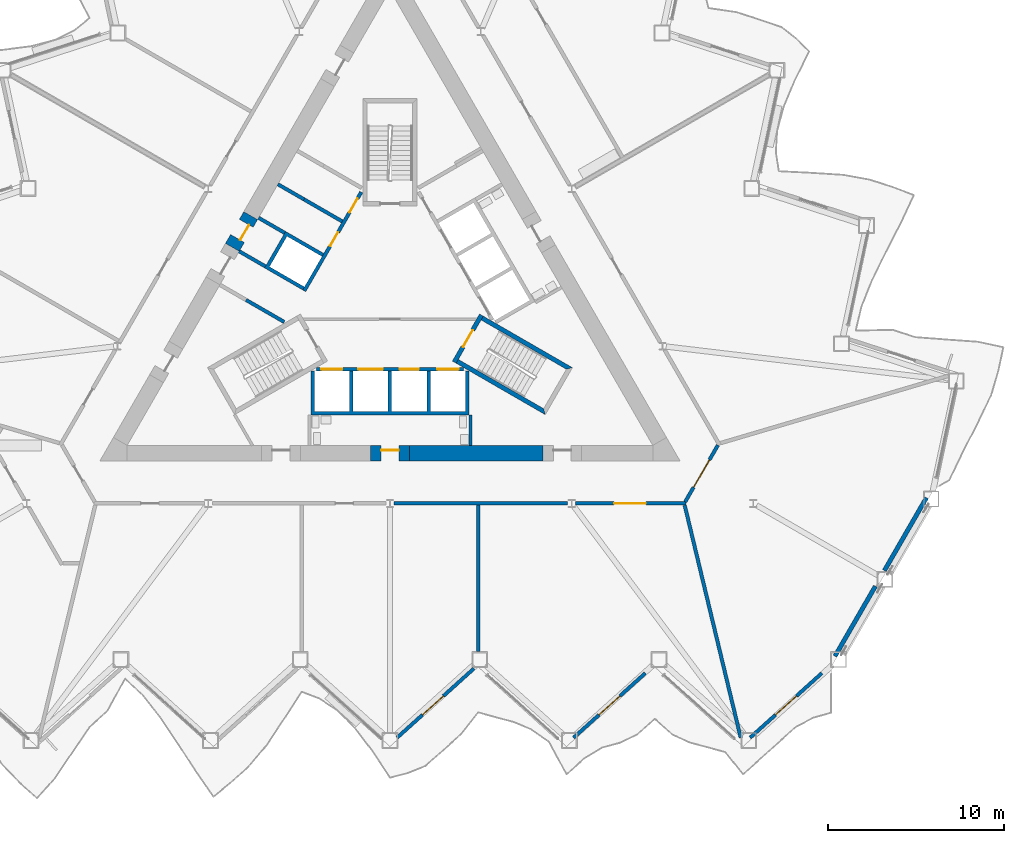
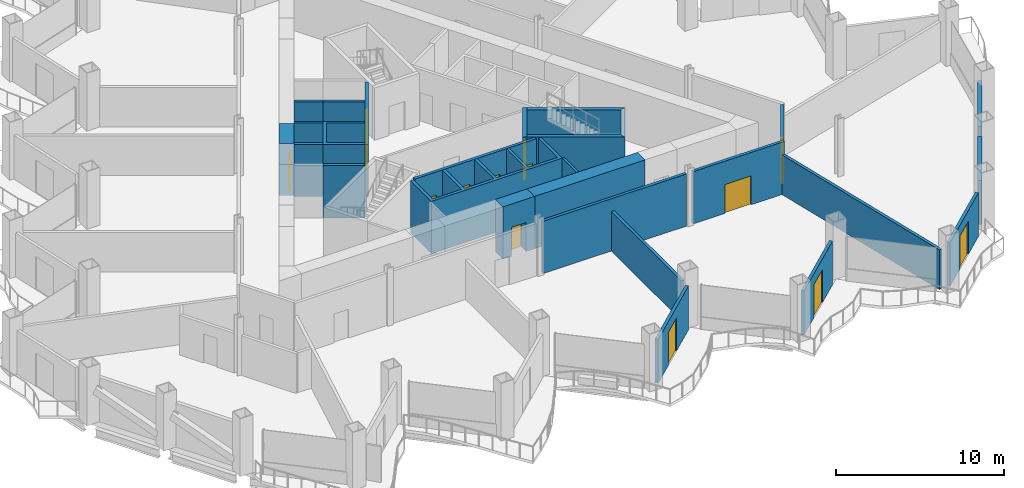
# One storey, part 11 of 21: 26 walls, 14 doors, 14 openings.
"""IFC4 building model written with IfcOpenShell, lengths in metres."""

from ifc_helpers import new_model, si_unit, direction, frame, frame_2d, origin, place, context, subcontext, project, spatial, polyline, rectangle, outline, extrude, material, layer, layer_set, type_object, element, fill, save


model = new_model("IFC4")

# Units and contexts
model_context = context("Model", 3, precision=1e-05, world=origin(), true_north=direction((0.0, 1.0)))
body_context = subcontext(model_context, "Body", "Model", "MODEL_VIEW")
ifc_project = project(units=[si_unit("LENGTHUNIT", "METRE"), si_unit("AREAUNIT", "SQUARE_METRE"), si_unit("VOLUMEUNIT", "CUBIC_METRE"), si_unit("PLANEANGLEUNIT", "RADIAN"), si_unit("MASSUNIT", "GRAM", prefix="KILO")], contexts=[model_context])

# Site, building, storey
site_placement = place(None, origin())
site = spatial("IfcSite", under=ifc_project, at=site_placement, CompositionType="ELEMENT")
building_placement = place(site_placement, origin())
building = spatial("IfcBuilding", under=site, at=building_placement, Name="Cormorant Prow Tower", CompositionType="ELEMENT")
storey_placement = place(building_placement, frame((0.0, 0.0, 120.60009765625)))
storey = spatial("IfcBuildingStorey", under=building, at=storey_placement, Name="L25", CompositionType="ELEMENT", Elevation=120.60009765625)

# Walls
ifc_material_1 = material(Name="Gypsum board partition")
ifc_layer_1 = layer(ifc_material_1, 0.14990234375)
ifc_layer_set_1 = layer_set([ifc_layer_1], Name="Gypsum board partition")
wall_type_1 = type_object("IfcWallType", Name="Core partition 150", PredefinedType="PARTITIONING", material=ifc_layer_set_1)
wall_1_placement = place(storey_placement, frame((4.574951171875, -6.906005859375, 0.0), z_axis=(0.0, 0.0, 1.0), x_axis=(0.0, -1.0, 0.0)))
element("IfcWall", 1, at=wall_1_placement, inside=storey, type_object=wall_type_1, Name="Service room partition", PredefinedType="PARTITIONING", context=body_context, shape_type="SweptSolid", body=[
    extrude(rectangle(XDim=1.72021484375, YDim=0.14990234375, at=frame_2d((0.860107421875, 0.0))), origin(), (0.0, 0.0, 1.0), 3.7998046875),
])
ifc_material_2 = material(Name="Concrete 8000 psi", Category="concrete")
ifc_layer_2 = layer(ifc_material_2, 0.89990234375)
ifc_layer_set_2 = layer_set([ifc_layer_2], Name="Concrete 8000 psi")
wall_type_2 = type_object("IfcWallType", Name="Core shear wall 900", PredefinedType="SHEAR", material=ifc_layer_set_2)
wall_2_placement = place(storey_placement, frame((1.10009765625, -9.076416015625, 0.0), z_axis=(0.0, 0.0, 1.0), x_axis=(1.0, 0.0, 0.0)))
element("IfcWall", 2, at=wall_2_placement, inside=storey, type_object=wall_type_2, Name="Core wall", PredefinedType="SHEAR", context=body_context, shape_type="SweptSolid", body=[
    extrude(rectangle(XDim=7.595458984375, YDim=0.89990234375, at=frame_2d((3.7978515625, 0.0))), origin(), (0.0, 0.0, 1.0), 3.7998046875),
])

# Wall, opening, door
wall_3_placement = place(storey_placement, frame((-1.10009765625, -9.076416015625, 0.0), z_axis=(0.0, 0.0, 1.0), x_axis=(1.0, 0.0, 0.0)))
wall_3 = element("IfcWall", 3, at=wall_3_placement, inside=storey, type_object=wall_type_2, Name="Core wall door panel", PredefinedType="SHEAR", context=body_context, shape_type="SweptSolid", body=[
    extrude(rectangle(XDim=2.2001953125, YDim=0.89990234375, at=frame_2d((1.10009765625, 0.0))), origin(), (0.0, 0.0, 1.0), 3.7998046875),
])
opening_1_placement = place(wall_3_placement, frame((0.60009765625, 0.0, 0.0)))
opening_1 = element("IfcOpeningElement", 4, at=opening_1_placement, cuts=wall_3, Name="Opening L25-C15", PredefinedType="OPENING", context=body_context, shape_type="SweptSolid", body=[
    extrude(rectangle(XDim=1.0, YDim=2.10009765625, at=frame_2d((0.5, 1.050048828125))), frame((0.0, 0.4599609375, 0.0), z_axis=(0.0, -1.0, 0.0), x_axis=(1.0, 0.0, 0.0)), (0.0, 0.0, 1.0), 0.919921875),
])
ifc_material_3 = material(Name="Painted steel", Category="steel")
door_type_1 = type_object("IfcDoorType", Name="Service door 1000x2100", OperationType="NOTDEFINED", PredefinedType="DOOR", material=ifc_material_3)
door_1_placement = place(opening_1_placement, origin())
door_1 = element("IfcDoor", 5, at=door_1_placement, inside=storey, type_object=door_type_1, Name="Core door, Toilets (women) L25", OperationType="SINGLE_SWING_RIGHT", OverallHeight=2.10009765625, OverallWidth=1.0, PredefinedType="DOOR", context=body_context, shape_type="SweptSolid", body=[
    extrude(rectangle(XDim=1.0, YDim=2.10009765625, at=frame_2d((0.5, 1.050048828125))), frame((0.0, 0.205078125, 0.0), z_axis=(0.0, -1.0, 0.0), x_axis=(1.0, 0.0, 0.0)), (0.0, 0.0, 1.0), 0.050048828125),
])
fill(opening_1, door_1)

wall_4_placement = place(storey_placement, frame((-7.92041015625, 4.43408203125, 0.0), z_axis=(0.0, 0.0, 1.0), x_axis=(-0.499939227269, -0.866060488094, 0.0)))
wall_4 = element("IfcWall", 6, at=wall_4_placement, inside=storey, type_object=wall_type_2, Name="Core wall door panel", PredefinedType="SHEAR", context=body_context, shape_type="SweptSolid", body=[
    extrude(rectangle(XDim=2.079833984375, YDim=0.89990234375, at=frame_2d((1.0400390625, 0.0))), origin(), (0.0, 0.0, 1.0), 3.7998046875),
])
opening_2_placement = place(wall_4_placement, frame((0.5, 0.0, 0.0)))
opening_2 = element("IfcOpeningElement", 7, at=opening_2_placement, cuts=wall_4, Name="Opening L25-C19", PredefinedType="OPENING", context=body_context, shape_type="SweptSolid", body=[
    extrude(rectangle(XDim=1.0, YDim=2.10009765625, at=frame_2d((0.5, 1.050048828125))), frame((0.0, 0.4599609375, 0.0), z_axis=(0.0, -1.0, 0.0), x_axis=(1.0, 0.0, 0.0)), (0.0, 0.0, 1.0), 0.919921875),
])
door_2_placement = place(opening_2_placement, origin())
door_2 = element("IfcDoor", 8, at=door_2_placement, inside=storey, type_object=door_type_1, Name="Core door, Electrical room", OperationType="SINGLE_SWING_LEFT", OverallHeight=2.10009765625, OverallWidth=1.0, PredefinedType="DOOR", context=body_context, shape_type="SweptSolid", body=[
    extrude(rectangle(XDim=1.0, YDim=2.10009765625, at=frame_2d((0.5, 1.050048828125))), frame((0.0, 0.205078125, 0.0), z_axis=(0.0, -1.0, 0.0), x_axis=(1.0, 0.0, 0.0)), (0.0, 0.0, 1.0), 0.050048828125),
])
fill(opening_2, door_2)

# Wall
ifc_material_4 = material(Name="Gypsum board corridor wall")
ifc_layer_3 = layer(ifc_material_4, 0.199951171875)
ifc_layer_set_3 = layer_set([ifc_layer_3], Name="Gypsum board corridor wall")
wall_type_3 = type_object("IfcWallType", Name="Corridor wall 200", PredefinedType="PARTITIONING", material=ifc_layer_set_3)
wall_5_placement = place(storey_placement, frame((0.227294921875, -11.92626953125, 0.0), z_axis=(0.0, 0.0, 1.0), x_axis=(1.0, 0.0, 0.0)))
element("IfcWall", 9, at=wall_5_placement, inside=storey, type_object=wall_type_3, Name="Corridor wall", PredefinedType="PARTITIONING", context=body_context, shape_type="SweptSolid", body=[
    extrude(rectangle(XDim=9.873779296875, YDim=0.199951171875, at=frame_2d((4.93701171875, 0.0))), origin(), (0.0, 0.0, 1.0), 3.7998046875),
])

# Wall, opening, door
wall_6_placement = place(storey_placement, frame((10.555908203125, -11.92626953125, 0.0), z_axis=(0.0, 0.0, 1.0), x_axis=(1.0, 0.0, 0.0)))
wall_6 = element("IfcWall", 10, at=wall_6_placement, inside=storey, type_object=wall_type_3, Name="Corridor wall", PredefinedType="PARTITIONING", context=body_context, shape_type="SweptSolid", body=[
    extrude(rectangle(XDim=6.27490234375, YDim=0.199951171875, at=frame_2d((3.137451171875, 0.0))), origin(), (0.0, 0.0, 1.0), 3.7998046875),
])
opening_3_placement = place(wall_6_placement, frame((2.1865234375, 0.0, 0.0)))
opening_3 = element("IfcOpeningElement", 11, at=opening_3_placement, cuts=wall_6, Name="Opening L25-F03", PredefinedType="OPENING", context=body_context, shape_type="SweptSolid", body=[
    extrude(rectangle(XDim=1.800048828125, YDim=2.10009765625, at=frame_2d((0.89990234375, 1.050048828125))), frame((0.0, 0.10986328125, 0.0), z_axis=(0.0, -1.0, 0.0), x_axis=(1.0, 0.0, 0.0)), (0.0, 0.0, 1.0), 0.219970703125),
])
ifc_material_5 = material(Name="Timber door leaf", Category="wood")
door_type_2 = type_object("IfcDoorType", Name="Double door 1800x2100", OperationType="DOUBLE_DOOR_SINGLE_SWING", PredefinedType="DOOR", material=ifc_material_5)
door_3_placement = place(opening_3_placement, origin())
door_3 = element("IfcDoor", 12, at=door_3_placement, inside=storey, type_object=door_type_2, Name="Open-plan office door", OperationType="DOUBLE_DOOR_SINGLE_SWING", OverallHeight=2.10009765625, OverallWidth=1.800048828125, PredefinedType="DOOR", context=body_context, shape_type="SweptSolid", body=[
    extrude(rectangle(XDim=1.800048828125, YDim=2.10009765625, at=frame_2d((0.89990234375, 1.050048828125))), frame((0.0, 0.02490234375, 0.0), z_axis=(0.0, -1.0, 0.0), x_axis=(1.0, 0.0, 0.0)), (0.0, 0.0, 1.0), 0.050048828125),
])
fill(opening_3, door_3)

wall_7_placement = place(storey_placement, frame((16.781005859375, -11.839599609375, 0.0), z_axis=(0.0, 0.0, 1.0), x_axis=(0.499958791762, 0.866049194065, 0.0)))
wall_7 = element("IfcWall", 13, at=wall_7_placement, inside=storey, type_object=wall_type_3, Name="Corridor wall", PredefinedType="PARTITIONING", context=body_context, shape_type="SweptSolid", body=[
    extrude(rectangle(XDim=3.725830078125, YDim=0.199951171875, at=frame_2d((1.86279296875, 0.0))), origin(), (0.0, 0.0, 1.0), 3.7998046875),
])
opening_4_placement = place(wall_7_placement, frame((0.962890625, 0.0, 0.0)))
opening_4 = element("IfcOpeningElement", 14, at=opening_4_placement, cuts=wall_7, Name="Opening L25-F04", PredefinedType="OPENING", context=body_context, shape_type="SweptSolid", body=[
    extrude(rectangle(XDim=1.800048828125, YDim=2.10009765625, at=frame_2d((0.89990234375, 1.050048828125))), frame((0.0, 0.10986328125, 0.0), z_axis=(0.0, -1.0, 0.0), x_axis=(1.0, 0.0, 0.0)), (0.0, 0.0, 1.0), 0.219970703125),
])
door_4_placement = place(opening_4_placement, origin())
door_4 = element("IfcDoor", 15, at=door_4_placement, inside=storey, type_object=door_type_2, Name="Open-plan office door", OperationType="DOUBLE_DOOR_SINGLE_SWING", OverallHeight=2.10009765625, OverallWidth=1.800048828125, PredefinedType="DOOR", context=body_context, shape_type="SweptSolid", body=[
    extrude(rectangle(XDim=1.800048828125, YDim=2.10009765625, at=frame_2d((0.89990234375, 1.050048828125))), frame((0.0, 0.02490234375, 0.0), z_axis=(0.0, -1.0, 0.0), x_axis=(1.0, 0.0, 0.0)), (0.0, 0.0, 1.0), 0.050048828125),
])
fill(opening_4, door_4)

# Walls
ifc_material_6 = material(Name="Gypsum board demising wall")
ifc_layer_4 = layer(ifc_material_6, 0.199951171875)
ifc_layer_set_4 = layer_set([ifc_layer_4], Name="Gypsum board demising wall")
wall_type_4 = type_object("IfcWallType", Name="Demising wall 200", PredefinedType="PARTITIONING", material=ifc_layer_set_4)
wall_8_placement = place(storey_placement, frame((16.75439453125, -12.0234375, 0.0), z_axis=(0.0, 0.0, 1.0), x_axis=(0.234226353532, -0.972182089586, 0.0)))
element("IfcWall", 16, at=wall_8_placement, inside=storey, type_object=wall_type_4, Name="Demising wall", PredefinedType="PARTITIONING", context=body_context, shape_type="SweptSolid", body=[
    extrude(rectangle(XDim=13.599365234375, YDim=0.199951171875, at=frame_2d((6.7998046875, 0.0))), origin(), (0.0, 0.0, 1.0), 2.88525390625),
])
wall_9_placement = place(storey_placement, frame((5.01806640625, -20.34716796875, 0.0), z_axis=(0.0, 0.0, 1.0), x_axis=(0.0, 1.0, 0.0)))
element("IfcWall", 17, at=wall_9_placement, inside=storey, type_object=wall_type_4, Name="Demising wall", PredefinedType="PARTITIONING", context=body_context, shape_type="SweptSolid", body=[
    extrude(rectangle(XDim=8.32080078125, YDim=0.199951171875, at=frame_2d((4.160400390625, 0.0))), origin(), (0.0, 0.0, 1.0), 2.88525390625),
])

# Wall, openings, doors
ifc_material_7 = material(Name="Concrete 5000 psi", Category="concrete")
ifc_layer_5 = layer(ifc_material_7, 0.199951171875)
ifc_layer_set_5 = layer_set([ifc_layer_5], Name="Concrete 5000 psi")
wall_type_5 = type_object("IfcWallType", Name="Lift lobby wall 200", PredefinedType="SOLIDWALL", material=ifc_layer_set_5)
wall_10_placement = place(storey_placement, frame((-4.1865234375, -4.300048828125, 0.0), z_axis=(0.0, 0.0, 1.0), x_axis=(1.0, 0.0, 0.0)))
wall_10 = element("IfcWall", 18, at=wall_10_placement, inside=storey, type_object=wall_type_5, Name="Lift lobby wall, S block", PredefinedType="SOLIDWALL", context=body_context, shape_type="SweptSolid", body=[
    extrude(rectangle(XDim=8.373046875, YDim=0.199951171875, at=frame_2d((4.1865234375, 0.0))), origin(), (0.0, 0.0, 1.0), 3.7998046875),
])
opening_5_placement = place(wall_10_placement, frame((0.28662109375, 0.0, 0.0)))
opening_5 = element("IfcOpeningElement", 19, at=opening_5_placement, cuts=wall_10, Name="Opening L25-C01", PredefinedType="OPENING", context=body_context, shape_type="SweptSolid", body=[
    extrude(rectangle(XDim=1.199951171875, YDim=2.10009765625, at=frame_2d((0.60009765625, 1.050048828125))), frame((0.0, 0.10986328125, 0.0), z_axis=(0.0, -1.0, 0.0), x_axis=(1.0, 0.0, 0.0)), (0.0, 0.0, 1.0), 0.219970703125),
])
opening_6_placement = place(wall_10_placement, frame((2.38671875, 0.0, 0.0)))
opening_6 = element("IfcOpeningElement", 20, at=opening_6_placement, cuts=wall_10, Name="Opening L25-C02", PredefinedType="OPENING", context=body_context, shape_type="SweptSolid", body=[
    extrude(rectangle(XDim=1.39990234375, YDim=2.10009765625, at=frame_2d((0.699951171875, 1.050048828125))), frame((0.0, 0.10986328125, 0.0), z_axis=(0.0, -1.0, 0.0), x_axis=(1.0, 0.0, 0.0)), (0.0, 0.0, 1.0), 0.219970703125),
])
opening_7_placement = place(wall_10_placement, frame((4.736572265625, 0.0, 0.0)))
opening_7 = element("IfcOpeningElement", 21, at=opening_7_placement, cuts=wall_10, Name="Opening L25-C03", PredefinedType="OPENING", context=body_context, shape_type="SweptSolid", body=[
    extrude(rectangle(XDim=1.10009765625, YDim=2.10009765625, at=frame_2d((0.550048828125, 1.050048828125))), frame((0.0, 0.10986328125, 0.0), z_axis=(0.0, -1.0, 0.0), x_axis=(1.0, 0.0, 0.0)), (0.0, 0.0, 1.0), 0.219970703125),
])
opening_8_placement = place(wall_10_placement, frame((6.88671875, 0.0, 0.0)))
opening_8 = element("IfcOpeningElement", 22, at=opening_8_placement, cuts=wall_10, Name="Opening L25-C04", PredefinedType="OPENING", context=body_context, shape_type="SweptSolid", body=[
    extrude(rectangle(XDim=1.199951171875, YDim=2.10009765625, at=frame_2d((0.60009765625, 1.050048828125))), frame((0.0, 0.10986328125, 0.0), z_axis=(0.0, -1.0, 0.0), x_axis=(1.0, 0.0, 0.0)), (0.0, 0.0, 1.0), 0.219970703125),
])
ifc_material_8 = material(Name="Painted steel", Category="steel")
door_type_3 = type_object("IfcDoorType", Name="Firefighting lift landing door 1200x2100", OperationType="SLIDING_TO_LEFT", PredefinedType="DOOR", material=ifc_material_8)
door_5_placement = place(opening_5_placement, origin())
door_5 = element("IfcDoor", 23, at=door_5_placement, inside=storey, type_object=door_type_3, Name="Landing door FL1", OperationType="SLIDING_TO_LEFT", OverallHeight=2.10009765625, OverallWidth=1.199951171875, PredefinedType="DOOR", context=body_context, shape_type="SweptSolid", body=[
    extrude(rectangle(XDim=1.199951171875, YDim=2.10009765625, at=frame_2d((0.60009765625, 1.050048828125))), frame((0.0, 0.02490234375, 0.0), z_axis=(0.0, -1.0, 0.0), x_axis=(1.0, 0.0, 0.0)), (0.0, 0.0, 1.0), 0.050048828125),
])
fill(opening_5, door_5)
door_6_placement = place(opening_8_placement, origin())
door_6 = element("IfcDoor", 24, at=door_6_placement, inside=storey, type_object=door_type_3, Name="Landing door FL2", OperationType="SLIDING_TO_LEFT", OverallHeight=2.10009765625, OverallWidth=1.199951171875, PredefinedType="DOOR", context=body_context, shape_type="SweptSolid", body=[
    extrude(rectangle(XDim=1.199951171875, YDim=2.10009765625, at=frame_2d((0.60009765625, 1.050048828125))), frame((0.0, 0.02490234375, 0.0), z_axis=(0.0, -1.0, 0.0), x_axis=(1.0, 0.0, 0.0)), (0.0, 0.0, 1.0), 0.050048828125),
])
fill(opening_8, door_6)
ifc_material_9 = material(Name="Painted steel", Category="steel")
door_type_4 = type_object("IfcDoorType", Name="Lift landing door 1100x2100", OperationType="SLIDING_TO_LEFT", PredefinedType="DOOR", material=ifc_material_9)
door_7_placement = place(opening_7_placement, origin())
door_7 = element("IfcDoor", 25, at=door_7_placement, inside=storey, type_object=door_type_4, Name="Landing door LR1", OperationType="SLIDING_TO_LEFT", OverallHeight=2.10009765625, OverallWidth=1.10009765625, PredefinedType="DOOR", context=body_context, shape_type="SweptSolid", body=[
    extrude(rectangle(XDim=1.10009765625, YDim=2.10009765625, at=frame_2d((0.550048828125, 1.050048828125))), frame((0.0, 0.02490234375, 0.0), z_axis=(0.0, -1.0, 0.0), x_axis=(1.0, 0.0, 0.0)), (0.0, 0.0, 1.0), 0.050048828125),
])
fill(opening_7, door_7)
ifc_material_10 = material(Name="Painted steel", Category="steel")
door_type_5 = type_object("IfcDoorType", Name="Service lift landing door 1400x2100", OperationType="SLIDING_TO_LEFT", PredefinedType="DOOR", material=ifc_material_10)
door_8_placement = place(opening_6_placement, origin())
door_8 = element("IfcDoor", 26, at=door_8_placement, inside=storey, type_object=door_type_5, Name="Landing door SL1", OperationType="SLIDING_TO_LEFT", OverallHeight=2.10009765625, OverallWidth=1.39990234375, PredefinedType="DOOR", context=body_context, shape_type="SweptSolid", body=[
    extrude(rectangle(XDim=1.39990234375, YDim=2.10009765625, at=frame_2d((0.699951171875, 1.050048828125))), frame((0.0, 0.02490234375, 0.0), z_axis=(0.0, -1.0, 0.0), x_axis=(1.0, 0.0, 0.0)), (0.0, 0.0, 1.0), 0.050048828125),
])
fill(opening_6, door_8)

wall_11_placement = place(storey_placement, frame((-1.630615234375, 5.775634765625, 0.0), z_axis=(0.0, 0.0, 1.0), x_axis=(-0.499992876559, -0.866029516466, 0.0)))
wall_11 = element("IfcWall", 27, at=wall_11_placement, inside=storey, type_object=wall_type_5, Name="Lift lobby wall, WNW block", PredefinedType="SOLIDWALL", context=body_context, shape_type="SweptSolid", body=[
    extrude(rectangle(XDim=6.486328125, YDim=0.199951171875, at=frame_2d((3.2431640625, 0.0))), origin(), (0.0, 0.0, 1.0), 3.7998046875),
])
opening_9_placement = place(wall_11_placement, frame((0.4365234375, 0.0, 0.0)))
opening_9 = element("IfcOpeningElement", 28, at=opening_9_placement, cuts=wall_11, Name="Opening L25-C09", PredefinedType="OPENING", context=body_context, shape_type="SweptSolid", body=[
    extrude(rectangle(XDim=0.89990234375, YDim=2.10009765625, at=frame_2d((0.449951171875, 1.050048828125))), frame((0.0, 0.10986328125, 0.0), z_axis=(0.0, -1.0, 0.0), x_axis=(1.0, 0.0, 0.0)), (0.0, 0.0, 1.0), 0.219970703125),
])
opening_10_placement = place(wall_11_placement, frame((2.63671875, 0.0, 0.0)))
opening_10 = element("IfcOpeningElement", 29, at=opening_10_placement, cuts=wall_11, Name="Opening L25-C10", PredefinedType="OPENING", context=body_context, shape_type="SweptSolid", body=[
    extrude(rectangle(XDim=0.89990234375, YDim=2.10009765625, at=frame_2d((0.449951171875, 1.050048828125))), frame((0.0, 0.10986328125, 0.0), z_axis=(0.0, -1.0, 0.0), x_axis=(1.0, 0.0, 0.0)), (0.0, 0.0, 1.0), 0.219970703125),
])
ifc_material_11 = material(Name="Painted steel", Category="steel")
door_type_6 = type_object("IfcDoorType", Name="Service door 900x2100", OperationType="NOTDEFINED", PredefinedType="DOOR", material=ifc_material_11)
door_9_placement = place(opening_9_placement, origin())
door_9 = element("IfcDoor", 30, at=door_9_placement, inside=storey, type_object=door_type_6, Name="Service door, Refuse store", OperationType="SINGLE_SWING_LEFT", OverallHeight=2.10009765625, OverallWidth=0.89990234375, PredefinedType="DOOR", context=body_context, shape_type="SweptSolid", body=[
    extrude(rectangle(XDim=0.89990234375, YDim=2.10009765625, at=frame_2d((0.449951171875, 1.050048828125))), frame((0.0, 0.02490234375, 0.0), z_axis=(0.0, -1.0, 0.0), x_axis=(1.0, 0.0, 0.0)), (0.0, 0.0, 1.0), 0.050048828125),
])
fill(opening_9, door_9)
door_10_placement = place(opening_10_placement, origin())
door_10 = element("IfcDoor", 31, at=door_10_placement, inside=storey, type_object=door_type_6, Name="Service door, Pantry store", OperationType="SINGLE_SWING_LEFT", OverallHeight=2.10009765625, OverallWidth=0.89990234375, PredefinedType="DOOR", context=body_context, shape_type="SweptSolid", body=[
    extrude(rectangle(XDim=0.89990234375, YDim=2.10009765625, at=frame_2d((0.449951171875, 1.050048828125))), frame((0.0, 0.02490234375, 0.0), z_axis=(0.0, -1.0, 0.0), x_axis=(1.0, 0.0, 0.0)), (0.0, 0.0, 1.0), 0.050048828125),
])
fill(opening_10, door_10)

# Walls
ifc_material_12 = material(Name="Concrete 8000 psi", Category="concrete")
ifc_layer_6 = layer(ifc_material_12, 0.199951171875)
ifc_layer_set_6 = layer_set([ifc_layer_6], Name="Concrete 8000 psi")
wall_type_6 = type_object("IfcWallType", Name="Lift shaft wall 200", PredefinedType="SHEAR", material=ifc_layer_set_6)
wall_12_placement = place(storey_placement, origin())
element("IfcWall", 32, at=wall_12_placement, inside=storey, type_object=wall_type_6, Name="Lift shaft walls, S block", PredefinedType="SHEAR", context=body_context, shape_type="SweptSolid", body=[
    extrude(outline(polyline([(4.5, -4.39990234375), (4.5, -6.906005859375), (-4.5, -6.906005859375), (-4.5, -4.39990234375), (-4.300048828125, -4.39990234375), (-4.300048828125, -6.699951171875), (-2.300048828125, -6.699951171875), (-2.300048828125, -4.39990234375), (-2.10009765625, -4.39990234375), (-2.10009765625, -6.699951171875), (-0.10009765625, -6.699951171875), (-0.10009765625, -4.39990234375), (0.10009765625, -4.39990234375), (0.10009765625, -6.699951171875), (2.10009765625, -6.699951171875), (2.10009765625, -4.39990234375), (2.300048828125, -4.39990234375), (2.300048828125, -6.699951171875), (4.300048828125, -6.699951171875), (4.300048828125, -4.39990234375), (4.5, -4.39990234375)])), origin(), (0.0, 0.0, 1.0), 3.7998046875),
])
wall_13_placement = place(storey_placement, origin())
element("IfcWall", 33, at=wall_13_placement, inside=storey, type_object=wall_type_6, Name="Lift shaft walls, WNW block", PredefinedType="SHEAR", context=body_context, shape_type="SweptSolid", body=[
    extrude(outline(polyline([(-6.060546875, -1.697021484375), (-8.230712890625, -0.444091796875), (-8.130859375, -0.27099609375), (-5.96044921875, -1.52392578125), (-6.060546875, -1.697021484375)])), origin(), (0.0, 0.0, 1.0), 3.7998046875),
])
wall_14_placement = place(storey_placement, origin())
element("IfcWall", 34, at=wall_14_placement, inside=storey, type_object=wall_type_6, Name="Lift shaft walls, WNW block", PredefinedType="SHEAR", context=body_context, shape_type="SweptSolid", body=[
    extrude(outline(polyline([(-4.96044921875, 0.2080078125), (-7.130859375, 1.461181640625), (-5.930908203125, 3.53955078125), (-3.760498046875, 2.28662109375), (-3.860595703125, 2.11328125), (-5.852294921875, 3.263427734375), (-6.852294921875, 1.53125), (-4.860595703125, 0.38134765625), (-4.96044921875, 0.2080078125)])), origin(), (0.0, 0.0, 1.0), 3.7998046875),
])
wall_15_placement = place(storey_placement, origin())
element("IfcWall", 35, at=wall_15_placement, inside=storey, type_object=wall_type_6, Name="Lift shaft walls, WNW block", PredefinedType="SHEAR", context=body_context, shape_type="SweptSolid", body=[
    extrude(outline(polyline([(-2.760498046875, 4.018798828125), (-4.930908203125, 5.271728515625), (-4.830810546875, 5.44482421875), (-2.660400390625, 4.19189453125), (-2.760498046875, 4.018798828125)])), origin(), (0.0, 0.0, 1.0), 3.7998046875),
])
wall_16_placement = place(storey_placement, frame((-4.880859375, 5.3583984375, 0.0), z_axis=(0.0, 0.0, 1.0), x_axis=(-0.866024871741, 0.500000921525, 0.0)))
element("IfcWall", 36, at=wall_16_placement, inside=storey, type_object=wall_type_6, Name="Store side wall", PredefinedType="SHEAR", context=body_context, shape_type="SweptSolid", body=[
    extrude(rectangle(XDim=1.72021484375, YDim=0.199951171875, at=frame_2d((0.860107421875, 0.0))), origin(), (0.0, 0.0, 1.0), 3.7998046875),
])
wall_17_placement = place(storey_placement, frame((-5.980712890625, 3.452880859375, 0.0), z_axis=(0.0, 0.0, 1.0), x_axis=(-0.866060346521, 0.499939472521, 0.0)))
element("IfcWall", 37, at=wall_17_placement, inside=storey, type_object=wall_type_6, Name="Store side wall", PredefinedType="SHEAR", context=body_context, shape_type="SweptSolid", body=[
    extrude(rectangle(XDim=1.720458984375, YDim=0.199951171875, at=frame_2d((0.8603515625, 0.0))), origin(), (0.0, 0.0, 1.0), 3.7998046875),
])
wall_18_placement = place(storey_placement, frame((-7.080810546875, 1.547607421875, 0.0), z_axis=(0.0, 0.0, 1.0), x_axis=(-0.865963414263, 0.500107353632, 0.0)))
element("IfcWall", 38, at=wall_18_placement, inside=storey, type_object=wall_type_6, Name="Lobby passage wall", PredefinedType="SHEAR", context=body_context, shape_type="SweptSolid", body=[
    extrude(rectangle(XDim=1.72021484375, YDim=0.199951171875, at=frame_2d((0.860107421875, 0.0))), origin(), (0.0, 0.0, 1.0), 3.7998046875),
])
ifc_material_13 = material(Name="Concrete 8000 psi", Category="concrete")
ifc_layer_7 = layer(ifc_material_13, 0.25)
ifc_layer_set_7 = layer_set([ifc_layer_7], Name="Concrete 8000 psi")
wall_type_7 = type_object("IfcWallType", Name="Stair wall 250", PredefinedType="SHEAR", material=ifc_layer_set_7)
wall_19_placement = place(storey_placement, origin())
element("IfcWall", 39, at=wall_19_placement, inside=storey, type_object=wall_type_7, Name="Stair ST2 enclosure wall (flank)", PredefinedType="SHEAR", context=body_context, shape_type="SweptSolid", body=[
    extrude(outline(polyline([(3.76318359375, -3.95556640625), (8.82958984375, -6.880615234375), (8.738037109375, -6.5390625), (3.88818359375, -3.739013671875), (3.76318359375, -3.95556640625)])), origin(), (0.0, 0.0, 1.0), 3.7998046875),
])
wall_20_placement = place(storey_placement, origin())
element("IfcWall", 40, at=wall_20_placement, inside=storey, type_object=wall_type_7, Name="Stair ST2 enclosure wall (flank)", PredefinedType="SHEAR", context=body_context, shape_type="SweptSolid", body=[
    extrude(outline(polyline([(10.031982421875, -4.2978515625), (10.37353515625, -4.206298828125), (5.30712890625, -1.28125), (5.18212890625, -1.497802734375), (10.031982421875, -4.2978515625)])), origin(), (0.0, 0.0, 1.0), 3.7998046875),
])

# Wall, opening, door
wall_21_placement = place(storey_placement, frame((3.655029296875, -3.89306640625, 0.0), z_axis=(0.0, 0.0, 1.0), x_axis=(0.499982516597, 0.866035497597, 0.0)))
wall_21 = element("IfcWall", 41, at=wall_21_placement, inside=storey, type_object=wall_type_7, Name="Stair ST2 door wall", PredefinedType="SHEAR", context=body_context, shape_type="SweptSolid", body=[
    extrude(rectangle(XDim=3.087890625, YDim=0.25, at=frame_2d((1.5439453125, 0.0))), origin(), (0.0, 0.0, 1.0), 3.7998046875),
])
opening_11_placement = place(wall_21_placement, frame((0.993896484375, 0.0, 0.0)))
opening_11 = element("IfcOpeningElement", 42, at=opening_11_placement, cuts=wall_21, Name="Opening L25-C13", PredefinedType="OPENING", context=body_context, shape_type="SweptSolid", body=[
    extrude(rectangle(XDim=1.10009765625, YDim=2.10009765625, at=frame_2d((0.550048828125, 1.050048828125))), frame((0.0, 0.135009765625, 0.0), z_axis=(0.0, -1.0, 0.0), x_axis=(1.0, 0.0, 0.0)), (0.0, 0.0, 1.0), 0.27001953125),
])
ifc_material_14 = material(Name="Painted steel", Category="steel")
door_type_7 = type_object("IfcDoorType", Name="Stair door 1100x2100", OperationType="NOTDEFINED", PredefinedType="DOOR", material=ifc_material_14)
door_11_placement = place(opening_11_placement, origin())
door_11 = element("IfcDoor", 43, at=door_11_placement, inside=storey, type_object=door_type_7, Name="Stair ST2 door", OperationType="SINGLE_SWING_RIGHT", OverallHeight=2.10009765625, OverallWidth=1.10009765625, PredefinedType="DOOR", context=body_context, shape_type="SweptSolid", body=[
    extrude(rectangle(XDim=1.10009765625, YDim=2.10009765625, at=frame_2d((0.550048828125, 1.050048828125))), frame((0.0, 0.02490234375, 0.0), z_axis=(0.0, -1.0, 0.0), x_axis=(1.0, 0.0, 0.0)), (0.0, 0.0, 1.0), 0.050048828125),
])
fill(opening_11, door_11)

# Walls
ifc_material_15 = material(Name="Terracotta", Category="masonry")
ifc_layer_8 = layer(ifc_material_15, 0.25)
ifc_layer_set_8 = layer_set([ifc_layer_8], Name="Terracotta")
wall_type_8 = type_object("IfcWallType", Name="Terracotta bay wall 250", PredefinedType="SOLIDWALL", material=ifc_layer_set_8)
wall_22_placement = place(storey_placement, frame((25.2998046875, -20.612060546875, 0.0), z_axis=(0.0, 0.0, 1.0), x_axis=(0.500018268964, 0.866014855936, 0.0)))
element("IfcWall", 44, at=wall_22_placement, inside=storey, type_object=wall_type_8, Name="Terracotta bay wall ESE00", PredefinedType="SOLIDWALL", context=body_context, shape_type="SweptSolid", body=[
    extrude(rectangle(XDim=4.595947265625, YDim=0.25, at=frame_2d((2.2978515625, 0.0))), origin(), (0.0, 0.0, 1.0), 3.188720703125),
])
wall_23_placement = place(storey_placement, frame((28.11083984375, -15.743408203125, 0.0), z_axis=(0.0, 0.0, 1.0), x_axis=(0.499984810975, 0.866034172995, 0.0)))
element("IfcWall", 45, at=wall_23_placement, inside=storey, type_object=wall_type_8, Name="Terracotta bay wall ESE01", PredefinedType="SOLIDWALL", context=body_context, shape_type="SweptSolid", body=[
    extrude(rectangle(XDim=4.779541015625, YDim=0.25, at=frame_2d((2.3896484375, 0.0))), origin(), (0.0, 0.0, 1.0), 3.188720703125),
])

# Wall, opening, door
ifc_material_16 = material(Name="Terracotta", Category="masonry")
ifc_layer_9 = layer(ifc_material_16, 0.199951171875)
ifc_layer_set_9 = layer_set([ifc_layer_9], Name="Terracotta")
wall_type_9 = type_object("IfcWallType", Name="Terracotta jamb wall 200", PredefinedType="SOLIDWALL", material=ifc_layer_set_9)
wall_24_placement = place(storey_placement, frame((0.40576171875, -25.243896484375, 0.0), z_axis=(0.0, 0.0, 1.0), x_axis=(0.743138997535, 0.669137078888, 0.0)))
wall_24 = element("IfcWall", 46, at=wall_24_placement, inside=storey, type_object=wall_type_9, Name="Terracotta jamb wall S05", PredefinedType="SOLIDWALL", context=body_context, shape_type="SweptSolid", body=[
    extrude(rectangle(XDim=5.869140625, YDim=0.199951171875, at=frame_2d((2.9345703125, 0.0))), origin(), (0.0, 0.0, 1.0), 3.188720703125),
])
opening_12_placement = place(wall_24_placement, frame((1.940185546875, 0.0, 0.0)))
opening_12 = element("IfcOpeningElement", 47, at=opening_12_placement, cuts=wall_24, Name="Opening ED25.03", PredefinedType="OPENING", context=body_context, shape_type="SweptSolid", body=[
    extrude(rectangle(XDim=1.60009765625, YDim=2.39990234375, at=frame_2d((0.800048828125, 1.199951171875))), frame((0.0, 0.10986328125, 0.0), z_axis=(0.0, -1.0, 0.0), x_axis=(1.0, 0.0, 0.0)), (0.0, 0.0, 1.0), 0.219970703125),
])
ifc_material_17 = material(Name="Aluminium 6063-T6", Category="aluminium")
door_type_8 = type_object("IfcDoorType", Name="Balcony door 1600x2400", OperationType="DOUBLE_DOOR_SINGLE_SWING", PredefinedType="DOOR", material=ifc_material_17)
door_12_placement = place(opening_12_placement, origin())
door_12 = element("IfcDoor", 48, at=door_12_placement, inside=storey, type_object=door_type_8, Name="Balcony door S05 ED25.03", OperationType="DOUBLE_DOOR_SINGLE_SWING", OverallHeight=2.39990234375, OverallWidth=1.60009765625, PredefinedType="DOOR", context=body_context, shape_type="SweptSolid", body=[
    extrude(rectangle(XDim=1.60009765625, YDim=2.39990234375, at=frame_2d((0.800048828125, 1.199951171875))), frame((0.0, 0.02490234375, 0.0), z_axis=(0.0, -1.0, 0.0), x_axis=(1.0, 0.0, 0.0)), (0.0, 0.0, 1.0), 0.050048828125),
])
fill(opening_12, door_12)

wall_25_placement = place(storey_placement, frame((10.44189453125, -25.243896484375, 0.0), z_axis=(0.0, 0.0, 1.0), x_axis=(0.743134641601, 0.669141916526, 0.0)))
wall_25 = element("IfcWall", 49, at=wall_25_placement, inside=storey, type_object=wall_type_9, Name="Terracotta jamb wall S07", PredefinedType="SOLIDWALL", context=body_context, shape_type="SweptSolid", body=[
    extrude(rectangle(XDim=5.48046875, YDim=0.199951171875, at=frame_2d((2.740234375, 0.0))), origin(), (0.0, 0.0, 1.0), 3.188720703125),
])
opening_13_placement = place(wall_25_placement, frame((1.940185546875, 0.0, 0.0)))
opening_13 = element("IfcOpeningElement", 50, at=opening_13_placement, cuts=wall_25, Name="Opening ED25.04", PredefinedType="OPENING", context=body_context, shape_type="SweptSolid", body=[
    extrude(rectangle(XDim=1.60009765625, YDim=2.39990234375, at=frame_2d((0.800048828125, 1.199951171875))), frame((0.0, 0.10986328125, 0.0), z_axis=(0.0, -1.0, 0.0), x_axis=(1.0, 0.0, 0.0)), (0.0, 0.0, 1.0), 0.219970703125),
])
door_13_placement = place(opening_13_placement, origin())
door_13 = element("IfcDoor", 51, at=door_13_placement, inside=storey, type_object=door_type_8, Name="Balcony door S07 ED25.04", OperationType="DOUBLE_DOOR_SINGLE_SWING", OverallHeight=2.39990234375, OverallWidth=1.60009765625, PredefinedType="DOOR", context=body_context, shape_type="SweptSolid", body=[
    extrude(rectangle(XDim=1.60009765625, YDim=2.39990234375, at=frame_2d((0.800048828125, 1.199951171875))), frame((0.0, 0.02490234375, 0.0), z_axis=(0.0, -1.0, 0.0), x_axis=(1.0, 0.0, 0.0)), (0.0, 0.0, 1.0), 0.050048828125),
])
fill(opening_13, door_13)

wall_26_placement = place(storey_placement, frame((20.477783203125, -25.243896484375, 0.0), z_axis=(0.0, 0.0, 1.0), x_axis=(0.743134641601, 0.669141916526, 0.0)))
wall_26 = element("IfcWall", 52, at=wall_26_placement, inside=storey, type_object=wall_type_9, Name="Terracotta jamb wall S09", PredefinedType="SOLIDWALL", context=body_context, shape_type="SweptSolid", body=[
    extrude(rectangle(XDim=5.48046875, YDim=0.199951171875, at=frame_2d((2.740234375, 0.0))), origin(), (0.0, 0.0, 1.0), 3.188720703125),
])
opening_14_placement = place(wall_26_placement, frame((1.940185546875, 0.0, 0.0)))
opening_14 = element("IfcOpeningElement", 53, at=opening_14_placement, cuts=wall_26, Name="Opening ED25.05", PredefinedType="OPENING", context=body_context, shape_type="SweptSolid", body=[
    extrude(rectangle(XDim=1.60009765625, YDim=2.39990234375, at=frame_2d((0.800048828125, 1.199951171875))), frame((0.0, 0.10986328125, 0.0), z_axis=(0.0, -1.0, 0.0), x_axis=(1.0, 0.0, 0.0)), (0.0, 0.0, 1.0), 0.219970703125),
])
door_14_placement = place(opening_14_placement, origin())
door_14 = element("IfcDoor", 54, at=door_14_placement, inside=storey, type_object=door_type_8, Name="Balcony door S09 ED25.05", OperationType="DOUBLE_DOOR_SINGLE_SWING", OverallHeight=2.39990234375, OverallWidth=1.60009765625, PredefinedType="DOOR", context=body_context, shape_type="SweptSolid", body=[
    extrude(rectangle(XDim=1.60009765625, YDim=2.39990234375, at=frame_2d((0.800048828125, 1.199951171875))), frame((0.0, 0.02490234375, 0.0), z_axis=(0.0, -1.0, 0.0), x_axis=(1.0, 0.0, 0.0)), (0.0, 0.0, 1.0), 0.050048828125),
])
fill(opening_14, door_14)

save(model, "model.ifc")
